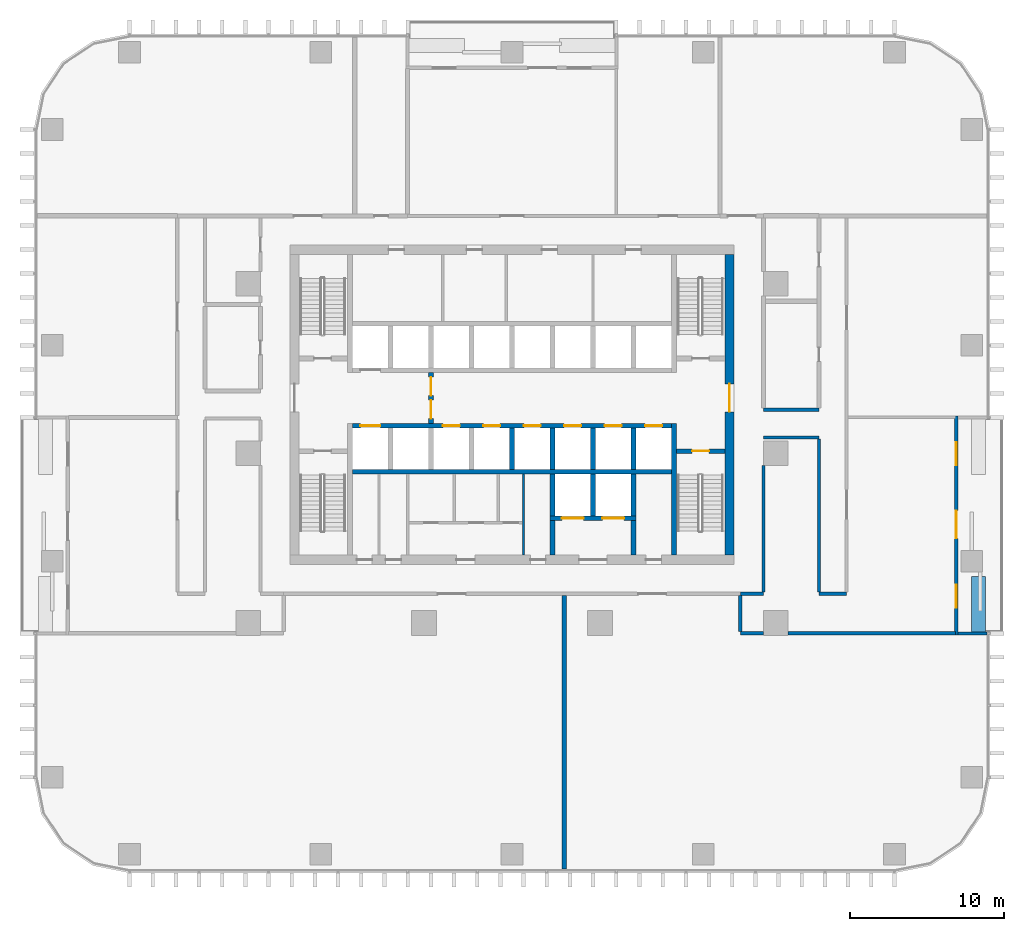
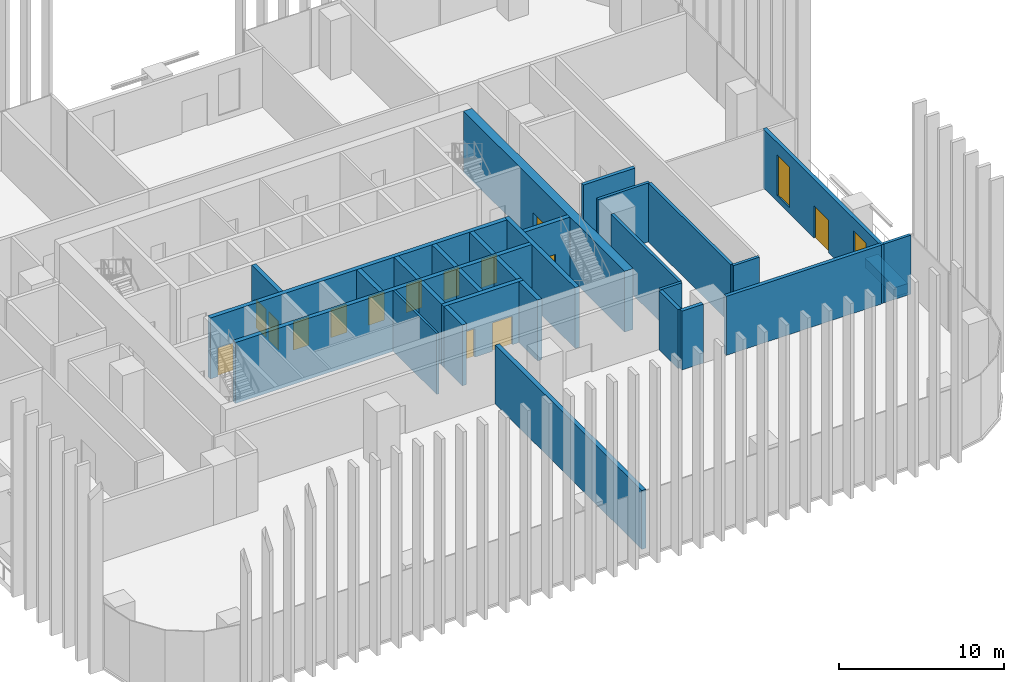
# One storey, part 8 of 17: 30 walls, 14 doors, 2 windows, 16 openings.
"""IFC4 building model written with IfcOpenShell, lengths in metres."""

from ifc_helpers import new_model, si_unit, direction, frame, frame_2d, origin, place, context, subcontext, project, spatial, rectangle, extrude, material, layer, layer_set, type_object, element, fill, save


model = new_model("IFC4")

# Units and contexts
model_context = context("Model", 3, precision=1e-05, world=origin(), true_north=direction((0.0, 1.0)))
body_context = subcontext(model_context, "Body", "Model", "MODEL_VIEW")
ifc_project = project(units=[si_unit("LENGTHUNIT", "METRE"), si_unit("AREAUNIT", "SQUARE_METRE"), si_unit("VOLUMEUNIT", "CUBIC_METRE"), si_unit("PLANEANGLEUNIT", "RADIAN"), si_unit("MASSUNIT", "GRAM", prefix="KILO")], contexts=[model_context])

# Site, building, storey
site_placement = place(None, origin())
site = spatial("IfcSite", under=ifc_project, at=site_placement, CompositionType="ELEMENT")
building_placement = place(site_placement, origin())
building = spatial("IfcBuilding", under=site, at=building_placement, Name="Mopane Tessera Tower", CompositionType="ELEMENT")
storey_placement = place(building_placement, frame((0.0, 0.0, 31.0)))
storey = spatial("IfcBuildingStorey", under=building, at=storey_placement, Name="L05", CompositionType="ELEMENT", Elevation=31.0)

# Wall
ifc_material_1 = material(Name="Fire-rated gypsum board partition")
ifc_layer_1 = layer(ifc_material_1, 0.14990234375)
ifc_layer_set_1 = layer_set([ifc_layer_1], Name="Fire-rated gypsum board partition")
wall_type_1 = type_object("IfcWallType", Name="Core room partition 150 mm", PredefinedType="PARTITIONING", material=ifc_layer_set_1)
wall_1_placement = place(storey_placement, frame((0.75, -6.60009765625, 0.0), z_axis=(0.0, 0.0, 1.0), x_axis=(0.0, 1.0, 0.0)))
element("IfcWall", 1, at=wall_1_placement, inside=storey, type_object=wall_type_1, Name="L05 Room partition", PredefinedType="PARTITIONING", context=body_context, shape_type="SweptSolid", body=[
    extrude(rectangle(XDim=5.25, YDim=0.14990234375, at=frame_2d((2.625, 0.0))), origin(), (0.0, 0.0, 1.0), 4.5),
])

# Wall, opening, door
ifc_material_2 = material(Name="Concrete C70/85", Category="concrete")
ifc_layer_2 = layer(ifc_material_2, 0.60009765625)
ifc_layer_set_2 = layer_set([ifc_layer_2], Name="Concrete C70/85")
wall_type_2 = type_object("IfcWallType", Name="Core shear wall 600 mm", PredefinedType="SHEAR", material=ifc_layer_set_2)
wall_2_placement = place(storey_placement, frame((14.10009765625, -6.60009765625, 0.0), z_axis=(0.0, 0.0, 1.0), x_axis=(0.0, 1.0, 0.0)))
wall_2 = element("IfcWall", 2, at=wall_2_placement, inside=storey, type_object=wall_type_2, Name="L05 Core wall east", PredefinedType="SHEAR", context=body_context, shape_type="SweptSolid", body=[
    extrude(rectangle(XDim=19.5, YDim=0.60009765625, at=frame_2d((9.75, 0.0))), origin(), (0.0, 0.0, 1.0), 4.5),
])
opening_1_placement = place(wall_2_placement, frame((9.300048828125, 0.0, 0.0)))
opening_1 = element("IfcOpeningElement", 3, at=opening_1_placement, cuts=wall_2, Name="Opening SD2", PredefinedType="OPENING", context=body_context, shape_type="SweptSolid", body=[
    extrude(rectangle(XDim=1.800048828125, YDim=2.10009765625, at=frame_2d((0.89990234375, 1.050048828125))), frame((0.0, 0.31201171875, 0.0), z_axis=(0.0, -1.0, 0.0), x_axis=(1.0, 0.0, 0.0)), (0.0, 0.0, 1.0), 0.6240234375),
])
ifc_material_3 = material(Name="Steel fire door", Category="steel")
door_type_1 = type_object("IfcDoorType", Name="Core entrance double door 1800 x 2100", OperationType="DOUBLE_DOOR_SINGLE_SWING", PredefinedType="DOOR", material=ifc_material_3)
door_1_placement = place(opening_1_placement, origin())
door_1 = element("IfcDoor", 4, at=door_1_placement, inside=storey, type_object=door_type_1, Name="L05 Core entrance door east", OperationType="DOUBLE_DOOR_SINGLE_SWING", OverallHeight=2.10009765625, OverallWidth=1.800048828125, PredefinedType="DOOR", context=body_context, shape_type="SweptSolid", body=[
    extrude(rectangle(XDim=1.800048828125, YDim=2.10009765625, at=frame_2d((0.89990234375, 1.050048828125))), frame((0.0, 0.02490234375, 0.0), z_axis=(0.0, -1.0, 0.0), x_axis=(1.0, 0.0, 0.0)), (0.0, 0.0, 1.0), 0.050048828125),
])
fill(opening_1, door_1)

# Walls
ifc_material_4 = material(Name="Concrete C60/75", Category="concrete")
ifc_layer_3 = layer(ifc_material_4, 0.300048828125)
ifc_layer_set_3 = layer_set([ifc_layer_3], Name="Concrete C60/75")
wall_type_3 = type_object("IfcWallType", Name="Core spine wall 300 mm", PredefinedType="SHEAR", material=ifc_layer_set_3)
wall_3_placement = place(storey_placement, frame((10.5, -6.60009765625, 0.0), z_axis=(0.0, 0.0, 1.0), x_axis=(0.0, 1.0, 0.0)))
element("IfcWall", 5, at=wall_3_placement, inside=storey, type_object=wall_type_3, Name="L05 Core spine wall", PredefinedType="SHEAR", context=body_context, shape_type="SweptSolid", body=[
    extrude(rectangle(XDim=8.550048828125, YDim=0.300048828125, at=frame_2d((4.27490234375, 0.0))), origin(), (0.0, 0.0, 1.0), 4.5),
])
ifc_material_5 = material(Name="Gypsum board on steel studs, two layers each face, mineral wool infill", Category="steel")
ifc_layer_4 = layer(ifc_material_5, 0.199951171875)
ifc_layer_set_4 = layer_set([ifc_layer_4], Name="Gypsum board on steel studs, two layers each face, mineral wool infill")
wall_type_4 = type_object("IfcWallType", Name="Gypsum board corridor wall 200, rated EI 60", PredefinedType="PARTITIONING", material=ifc_layer_set_4)
wall_4_placement = place(storey_placement, frame((14.800048828125, -9.10009765625, 0.0), z_axis=(0.0, 0.0, 1.0), x_axis=(1.0, 0.0, 0.0)))
element("IfcWall", 6, at=wall_4_placement, inside=storey, type_object=wall_type_4, Name="Partition L05:006", PredefinedType="PARTITIONING", context=body_context, shape_type="SweptSolid", body=[
    extrude(rectangle(XDim=1.5, YDim=0.199951171875, at=frame_2d((0.75, 0.0))), origin(), (0.0, 0.0, 1.0), 4.35009765625),
])
wall_5_placement = place(storey_placement, frame((19.89990234375, -9.10009765625, 0.0), z_axis=(0.0, 0.0, 1.0), x_axis=(1.0, 0.0, 0.0)))
element("IfcWall", 7, at=wall_5_placement, inside=storey, type_object=wall_type_4, Name="Partition L05:007", PredefinedType="PARTITIONING", context=body_context, shape_type="SweptSolid", body=[
    extrude(rectangle(XDim=1.800048828125, YDim=0.199951171875, at=frame_2d((0.89990234375, 0.0))), origin(), (0.0, 0.0, 1.0), 4.35009765625),
])
wall_6_placement = place(storey_placement, frame((16.300048828125, 1.02490234375, 0.0), z_axis=(0.0, 0.0, 1.0), x_axis=(1.0, 0.0, 0.0)))
element("IfcWall", 8, at=wall_6_placement, inside=storey, type_object=wall_type_4, Name="Partition L05:009", PredefinedType="PARTITIONING", context=body_context, shape_type="SweptSolid", body=[
    extrude(rectangle(XDim=3.599853515625, YDim=0.199951171875, at=frame_2d((1.7998046875, 0.0))), origin(), (0.0, 0.0, 1.0), 4.35009765625),
])
wall_7_placement = place(storey_placement, frame((16.300048828125, -9.0, 0.0), z_axis=(0.0, 0.0, 1.0), x_axis=(0.0, 1.0, 0.0)))
element("IfcWall", 9, at=wall_7_placement, inside=storey, type_object=wall_type_4, Name="Partition L05:040", PredefinedType="PARTITIONING", context=body_context, shape_type="SweptSolid", body=[
    extrude(rectangle(XDim=8.199951171875, YDim=0.199951171875, at=frame_2d((4.10009765625, 0.0))), origin(), (0.0, 0.0, 1.0), 4.35009765625),
])
wall_8_placement = place(storey_placement, frame((19.89990234375, -9.0, 0.0), z_axis=(0.0, 0.0, 1.0), x_axis=(0.0, 1.0, 0.0)))
element("IfcWall", 10, at=wall_8_placement, inside=storey, type_object=wall_type_4, Name="Partition L05:043", PredefinedType="PARTITIONING", context=body_context, shape_type="SweptSolid", body=[
    extrude(rectangle(XDim=9.925048828125, YDim=0.199951171875, at=frame_2d((4.96240234375, 0.0))), origin(), (0.0, 0.0, 1.0), 4.35009765625),
])

# Wall, opening, door
ifc_material_6 = material(Name="Concrete C50/60", Category="concrete")
ifc_layer_5 = layer(ifc_material_6, 0.300048828125)
ifc_layer_set_5 = layer_set([ifc_layer_5], Name="Concrete C50/60")
wall_type_5 = type_object("IfcWallType", Name="Lift and stair shaft wall 300 mm", PredefinedType="SOLIDWALL", material=ifc_layer_set_5)
wall_9_placement = place(storey_placement, frame((10.64990234375, 0.14990234375, 0.0), z_axis=(0.0, 0.0, 1.0), x_axis=(1.0, 0.0, 0.0)))
wall_9 = element("IfcWall", 11, at=wall_9_placement, inside=storey, type_object=wall_type_5, Name="L05 Stair enclosure wall", PredefinedType="SOLIDWALL", context=body_context, shape_type="SweptSolid", body=[
    extrude(rectangle(XDim=3.150146484375, YDim=0.300048828125, at=frame_2d((1.5751953125, 0.0))), origin(), (0.0, 0.0, 1.0), 4.5),
])
opening_2_placement = place(wall_9_placement, frame((1.02490234375, 0.0, 0.0)))
opening_2 = element("IfcOpeningElement", 12, at=opening_2_placement, cuts=wall_9, Name="Opening SD1", PredefinedType="OPENING", context=body_context, shape_type="SweptSolid", body=[
    extrude(rectangle(XDim=1.10009765625, YDim=2.10009765625, at=frame_2d((0.550048828125, 1.050048828125))), frame((0.0, 0.162109375, 0.0), z_axis=(0.0, -1.0, 0.0), x_axis=(1.0, 0.0, 0.0)), (0.0, 0.0, 1.0), 0.323974609375),
])
ifc_material_7 = material(Name="Steel fire door", Category="steel")
door_type_2 = type_object("IfcDoorType", Name="Stair fire door 1100 x 2100", OperationType="SINGLE_SWING_LEFT", PredefinedType="DOOR", material=ifc_material_7)
door_2_placement = place(opening_2_placement, origin())
door_2 = element("IfcDoor", 13, at=door_2_placement, inside=storey, type_object=door_type_2, Name="L05 Stair door ST3", OperationType="SINGLE_SWING_RIGHT", OverallHeight=2.10009765625, OverallWidth=1.10009765625, PredefinedType="DOOR", context=body_context, shape_type="SweptSolid", body=[
    extrude(rectangle(XDim=1.10009765625, YDim=2.10009765625, at=frame_2d((0.550048828125, 1.050048828125))), frame((0.0, 0.02490234375, 0.0), z_axis=(0.0, -1.0, 0.0), x_axis=(1.0, 0.0, 0.0)), (0.0, 0.0, 1.0), 0.050048828125),
])
fill(opening_2, door_2)

# Wall
wall_10_placement = place(storey_placement, frame((-10.35009765625, -1.199951171875, 0.0), z_axis=(0.0, 0.0, 1.0), x_axis=(1.0, 0.0, 0.0)))
element("IfcWall", 14, at=wall_10_placement, inside=storey, type_object=wall_type_5, Name="L05 Lift shaft rear wall", PredefinedType="SOLIDWALL", context=body_context, shape_type="SweptSolid", body=[
    extrude(rectangle(XDim=20.7001953125, YDim=0.300048828125, at=frame_2d((10.35009765625, 0.0))), origin(), (0.0, 0.0, 1.0), 4.5),
])

# Wall, openings, doors
wall_11_placement = place(storey_placement, frame((-10.35009765625, 1.800048828125, 0.0), z_axis=(0.0, 0.0, 1.0), x_axis=(1.0, 0.0, 0.0)))
wall_11 = element("IfcWall", 15, at=wall_11_placement, inside=storey, type_object=wall_type_5, Name="L05 Lift shaft front wall", PredefinedType="SOLIDWALL", context=body_context, shape_type="SweptSolid", body=[
    extrude(rectangle(XDim=20.7001953125, YDim=0.300048828125, at=frame_2d((10.35009765625, 0.0))), origin(), (0.0, 0.0, 1.0), 4.5),
])
opening_3_placement = place(wall_11_placement, frame((0.512451171875, 0.0, 0.0)))
opening_3 = element("IfcOpeningElement", 16, at=opening_3_placement, cuts=wall_11, Name="Opening LD2", PredefinedType="OPENING", context=body_context, shape_type="SweptSolid", body=[
    extrude(rectangle(XDim=1.300048828125, YDim=2.10009765625, at=frame_2d((0.64990234375, 1.050048828125))), frame((0.0, 0.162109375, 0.0), z_axis=(0.0, -1.0, 0.0), x_axis=(1.0, 0.0, 0.0)), (0.0, 0.0, 1.0), 0.323974609375),
])
opening_4_placement = place(wall_11_placement, frame((5.862548828125, 0.0, 0.0)))
opening_4 = element("IfcOpeningElement", 17, at=opening_4_placement, cuts=wall_11, Name="Opening LD", PredefinedType="OPENING", context=body_context, shape_type="SweptSolid", body=[
    extrude(rectangle(XDim=1.10009765625, YDim=2.10009765625, at=frame_2d((0.550048828125, 1.050048828125))), frame((0.0, 0.162109375, 0.0), z_axis=(0.0, -1.0, 0.0), x_axis=(1.0, 0.0, 0.0)), (0.0, 0.0, 1.0), 0.323974609375),
])
opening_5_placement = place(wall_11_placement, frame((8.487548828125, 0.0, 0.0)))
opening_5 = element("IfcOpeningElement", 18, at=opening_5_placement, cuts=wall_11, Name="Opening LD", PredefinedType="OPENING", context=body_context, shape_type="SweptSolid", body=[
    extrude(rectangle(XDim=1.10009765625, YDim=2.10009765625, at=frame_2d((0.550048828125, 1.050048828125))), frame((0.0, 0.162109375, 0.0), z_axis=(0.0, -1.0, 0.0), x_axis=(1.0, 0.0, 0.0)), (0.0, 0.0, 1.0), 0.323974609375),
])
opening_6_placement = place(wall_11_placement, frame((11.112548828125, 0.0, 0.0)))
opening_6 = element("IfcOpeningElement", 19, at=opening_6_placement, cuts=wall_11, Name="Opening LD", PredefinedType="OPENING", context=body_context, shape_type="SweptSolid", body=[
    extrude(rectangle(XDim=1.10009765625, YDim=2.10009765625, at=frame_2d((0.550048828125, 1.050048828125))), frame((0.0, 0.162109375, 0.0), z_axis=(0.0, -1.0, 0.0), x_axis=(1.0, 0.0, 0.0)), (0.0, 0.0, 1.0), 0.323974609375),
])
opening_7_placement = place(wall_11_placement, frame((13.737548828125, 0.0, 0.0)))
opening_7 = element("IfcOpeningElement", 20, at=opening_7_placement, cuts=wall_11, Name="Opening LD", PredefinedType="OPENING", context=body_context, shape_type="SweptSolid", body=[
    extrude(rectangle(XDim=1.10009765625, YDim=2.10009765625, at=frame_2d((0.550048828125, 1.050048828125))), frame((0.0, 0.162109375, 0.0), z_axis=(0.0, -1.0, 0.0), x_axis=(1.0, 0.0, 0.0)), (0.0, 0.0, 1.0), 0.323974609375),
])
opening_8_placement = place(wall_11_placement, frame((16.362548828125, 0.0, 0.0)))
opening_8 = element("IfcOpeningElement", 21, at=opening_8_placement, cuts=wall_11, Name="Opening LD", PredefinedType="OPENING", context=body_context, shape_type="SweptSolid", body=[
    extrude(rectangle(XDim=1.10009765625, YDim=2.10009765625, at=frame_2d((0.550048828125, 1.050048828125))), frame((0.0, 0.162109375, 0.0), z_axis=(0.0, -1.0, 0.0), x_axis=(1.0, 0.0, 0.0)), (0.0, 0.0, 1.0), 0.323974609375),
])
opening_9_placement = place(wall_11_placement, frame((18.987548828125, 0.0, 0.0)))
opening_9 = element("IfcOpeningElement", 22, at=opening_9_placement, cuts=wall_11, Name="Opening LD", PredefinedType="OPENING", context=body_context, shape_type="SweptSolid", body=[
    extrude(rectangle(XDim=1.10009765625, YDim=2.10009765625, at=frame_2d((0.550048828125, 1.050048828125))), frame((0.0, 0.162109375, 0.0), z_axis=(0.0, -1.0, 0.0), x_axis=(1.0, 0.0, 0.0)), (0.0, 0.0, 1.0), 0.323974609375),
])
ifc_material_8 = material(Name="Stainless steel sliding door", Category="steel")
door_type_3 = type_object("IfcDoorType", Name="Fire-fighting lift landing door 1300 x 2100", OperationType="DOUBLE_DOOR_SLIDING", PredefinedType="DOOR", material=ifc_material_8)
door_3_placement = place(opening_3_placement, origin())
door_3 = element("IfcDoor", 23, at=door_3_placement, inside=storey, type_object=door_type_3, Name="L05 Lift landing door FF1", OperationType="DOUBLE_DOOR_SLIDING", OverallHeight=2.10009765625, OverallWidth=1.300048828125, PredefinedType="DOOR", context=body_context, shape_type="SweptSolid", body=[
    extrude(rectangle(XDim=1.300048828125, YDim=2.10009765625, at=frame_2d((0.64990234375, 1.050048828125))), frame((0.0, 0.02490234375, 0.0), z_axis=(0.0, -1.0, 0.0), x_axis=(1.0, 0.0, 0.0)), (0.0, 0.0, 1.0), 0.050048828125),
])
fill(opening_3, door_3)
ifc_material_9 = material(Name="Stainless steel sliding door", Category="steel")
door_type_4 = type_object("IfcDoorType", Name="Lift landing door 1100 x 2100", OperationType="DOUBLE_DOOR_SLIDING", PredefinedType="DOOR", material=ifc_material_9)
door_4_placement = place(opening_4_placement, origin())
door_4 = element("IfcDoor", 24, at=door_4_placement, inside=storey, type_object=door_type_4, Name="L05 Lift landing door LR1", OperationType="DOUBLE_DOOR_SLIDING", OverallHeight=2.10009765625, OverallWidth=1.10009765625, PredefinedType="DOOR", context=body_context, shape_type="SweptSolid", body=[
    extrude(rectangle(XDim=1.10009765625, YDim=2.10009765625, at=frame_2d((0.550048828125, 1.050048828125))), frame((0.0, 0.02490234375, 0.0), z_axis=(0.0, -1.0, 0.0), x_axis=(1.0, 0.0, 0.0)), (0.0, 0.0, 1.0), 0.050048828125),
])
fill(opening_4, door_4)
door_5_placement = place(opening_5_placement, origin())
door_5 = element("IfcDoor", 25, at=door_5_placement, inside=storey, type_object=door_type_4, Name="L05 Lift landing door LR2", OperationType="DOUBLE_DOOR_SLIDING", OverallHeight=2.10009765625, OverallWidth=1.10009765625, PredefinedType="DOOR", context=body_context, shape_type="SweptSolid", body=[
    extrude(rectangle(XDim=1.10009765625, YDim=2.10009765625, at=frame_2d((0.550048828125, 1.050048828125))), frame((0.0, 0.02490234375, 0.0), z_axis=(0.0, -1.0, 0.0), x_axis=(1.0, 0.0, 0.0)), (0.0, 0.0, 1.0), 0.050048828125),
])
fill(opening_5, door_5)
door_6_placement = place(opening_6_placement, origin())
door_6 = element("IfcDoor", 26, at=door_6_placement, inside=storey, type_object=door_type_4, Name="L05 Lift landing door LR3", OperationType="DOUBLE_DOOR_SLIDING", OverallHeight=2.10009765625, OverallWidth=1.10009765625, PredefinedType="DOOR", context=body_context, shape_type="SweptSolid", body=[
    extrude(rectangle(XDim=1.10009765625, YDim=2.10009765625, at=frame_2d((0.550048828125, 1.050048828125))), frame((0.0, 0.02490234375, 0.0), z_axis=(0.0, -1.0, 0.0), x_axis=(1.0, 0.0, 0.0)), (0.0, 0.0, 1.0), 0.050048828125),
])
fill(opening_6, door_6)
door_7_placement = place(opening_7_placement, origin())
door_7 = element("IfcDoor", 27, at=door_7_placement, inside=storey, type_object=door_type_4, Name="L05 Lift landing door LR4", OperationType="DOUBLE_DOOR_SLIDING", OverallHeight=2.10009765625, OverallWidth=1.10009765625, PredefinedType="DOOR", context=body_context, shape_type="SweptSolid", body=[
    extrude(rectangle(XDim=1.10009765625, YDim=2.10009765625, at=frame_2d((0.550048828125, 1.050048828125))), frame((0.0, 0.02490234375, 0.0), z_axis=(0.0, -1.0, 0.0), x_axis=(1.0, 0.0, 0.0)), (0.0, 0.0, 1.0), 0.050048828125),
])
fill(opening_7, door_7)
door_8_placement = place(opening_8_placement, origin())
door_8 = element("IfcDoor", 28, at=door_8_placement, inside=storey, type_object=door_type_4, Name="L05 Lift landing door LR5", OperationType="DOUBLE_DOOR_SLIDING", OverallHeight=2.10009765625, OverallWidth=1.10009765625, PredefinedType="DOOR", context=body_context, shape_type="SweptSolid", body=[
    extrude(rectangle(XDim=1.10009765625, YDim=2.10009765625, at=frame_2d((0.550048828125, 1.050048828125))), frame((0.0, 0.02490234375, 0.0), z_axis=(0.0, -1.0, 0.0), x_axis=(1.0, 0.0, 0.0)), (0.0, 0.0, 1.0), 0.050048828125),
])
fill(opening_8, door_8)
door_9_placement = place(opening_9_placement, origin())
door_9 = element("IfcDoor", 29, at=door_9_placement, inside=storey, type_object=door_type_4, Name="L05 Lift landing door LR6", OperationType="DOUBLE_DOOR_SLIDING", OverallHeight=2.10009765625, OverallWidth=1.10009765625, PredefinedType="DOOR", context=body_context, shape_type="SweptSolid", body=[
    extrude(rectangle(XDim=1.10009765625, YDim=2.10009765625, at=frame_2d((0.550048828125, 1.050048828125))), frame((0.0, 0.02490234375, 0.0), z_axis=(0.0, -1.0, 0.0), x_axis=(1.0, 0.0, 0.0)), (0.0, 0.0, 1.0), 0.050048828125),
])
fill(opening_9, door_9)

# Walls
for number, where, z_axis, x_axis, name in (
    (30, (0.0, -1.050048828125, 0.0), (0.0, 0.0, 1.0), (0.0, 1.0, 0.0), "L05 Lift shaft wall"),
    (31, (2.625, -1.050048828125, 0.0), (0.0, 0.0, 1.0), (0.0, 1.0, 0.0), "L05 Lift shaft wall"),
    (32, (5.25, -1.050048828125, 0.0), (0.0, 0.0, 1.0), (0.0, 1.0, 0.0), "L05 Lift shaft wall"),
    (33, (7.875, -1.050048828125, 0.0), (0.0, 0.0, 1.0), (0.0, 1.0, 0.0), "L05 Lift shaft wall"),
):
    element("IfcWall", number, at=place(storey_placement, frame(where, z_axis=z_axis, x_axis=x_axis)), inside=storey, type_object=wall_type_5, Name=name, PredefinedType="SOLIDWALL", context=body_context, shape_type="SweptSolid", body=[
        extrude(rectangle(XDim=2.699951171875, YDim=0.300048828125, at=frame_2d((1.35009765625, 0.0))), origin(), (0.0, 0.0, 1.0), 4.5),
    ])

# Wall, openings, doors
wall_12_placement = place(storey_placement, frame((2.47509765625, -4.199951171875, 0.0), z_axis=(0.0, 0.0, 1.0), x_axis=(1.0, 0.0, 0.0)))
wall_12 = element("IfcWall", 34, at=wall_12_placement, inside=storey, type_object=wall_type_5, Name="L05 Lift shaft front wall", PredefinedType="SOLIDWALL", context=body_context, shape_type="SweptSolid", body=[
    extrude(rectangle(XDim=5.5498046875, YDim=0.300048828125, at=frame_2d((2.77490234375, 0.0))), origin(), (0.0, 0.0, 1.0), 4.5),
])
opening_10_placement = place(wall_12_placement, frame((0.762451171875, 0.0, 0.0)))
opening_10 = element("IfcOpeningElement", 35, at=opening_10_placement, cuts=wall_12, Name="Opening LD3", PredefinedType="OPENING", context=body_context, shape_type="SweptSolid", body=[
    extrude(rectangle(XDim=1.39990234375, YDim=2.10009765625, at=frame_2d((0.699951171875, 1.050048828125))), frame((0.0, 0.162109375, 0.0), z_axis=(0.0, -1.0, 0.0), x_axis=(1.0, 0.0, 0.0)), (0.0, 0.0, 1.0), 0.323974609375),
])
opening_11_placement = place(wall_12_placement, frame((3.387451171875, 0.0, 0.0)))
opening_11 = element("IfcOpeningElement", 36, at=opening_11_placement, cuts=wall_12, Name="Opening LD3", PredefinedType="OPENING", context=body_context, shape_type="SweptSolid", body=[
    extrude(rectangle(XDim=1.39990234375, YDim=2.10009765625, at=frame_2d((0.699951171875, 1.050048828125))), frame((0.0, 0.162109375, 0.0), z_axis=(0.0, -1.0, 0.0), x_axis=(1.0, 0.0, 0.0)), (0.0, 0.0, 1.0), 0.323974609375),
])
ifc_material_10 = material(Name="Stainless steel sliding door", Category="steel")
door_type_5 = type_object("IfcDoorType", Name="Service lift landing door 1400 x 2100", OperationType="DOUBLE_DOOR_SLIDING", PredefinedType="DOOR", material=ifc_material_10)
door_10_placement = place(opening_10_placement, origin())
door_10 = element("IfcDoor", 37, at=door_10_placement, inside=storey, type_object=door_type_5, Name="L05 Lift landing door SV1", OperationType="DOUBLE_DOOR_SLIDING", OverallHeight=2.10009765625, OverallWidth=1.39990234375, PredefinedType="DOOR", context=body_context, shape_type="SweptSolid", body=[
    extrude(rectangle(XDim=1.39990234375, YDim=2.10009765625, at=frame_2d((0.699951171875, 1.050048828125))), frame((0.0, 0.02490234375, 0.0), z_axis=(0.0, -1.0, 0.0), x_axis=(1.0, 0.0, 0.0)), (0.0, 0.0, 1.0), 0.050048828125),
])
fill(opening_10, door_10)
door_11_placement = place(opening_11_placement, origin())
door_11 = element("IfcDoor", 38, at=door_11_placement, inside=storey, type_object=door_type_5, Name="L05 Lift landing door SV2", OperationType="DOUBLE_DOOR_SLIDING", OverallHeight=2.10009765625, OverallWidth=1.39990234375, PredefinedType="DOOR", context=body_context, shape_type="SweptSolid", body=[
    extrude(rectangle(XDim=1.39990234375, YDim=2.10009765625, at=frame_2d((0.699951171875, 1.050048828125))), frame((0.0, 0.02490234375, 0.0), z_axis=(0.0, -1.0, 0.0), x_axis=(1.0, 0.0, 0.0)), (0.0, 0.0, 1.0), 0.050048828125),
])
fill(opening_11, door_11)

# Walls
for number, where, z_axis, x_axis, name in (
    (39, (2.625, -4.050048828125, 0.0), (0.0, 0.0, 1.0), (0.0, 1.0, 0.0), "L05 Lift shaft wall"),
    (40, (5.25, -4.050048828125, 0.0), (0.0, 0.0, 1.0), (0.0, 1.0, 0.0), "L05 Lift shaft wall"),
    (41, (7.875, -4.050048828125, 0.0), (0.0, 0.0, 1.0), (0.0, 1.0, 0.0), "L05 Lift shaft wall"),
):
    element("IfcWall", number, at=place(storey_placement, frame(where, z_axis=z_axis, x_axis=x_axis)), inside=storey, type_object=wall_type_5, Name=name, PredefinedType="SOLIDWALL", context=body_context, shape_type="SweptSolid", body=[
        extrude(rectangle(XDim=2.699951171875, YDim=0.300048828125, at=frame_2d((1.35009765625, 0.0))), origin(), (0.0, 0.0, 1.0), 4.5),
    ])

# Wall, openings, doors
ifc_material_11 = material(Name="Concrete C50/60", Category="concrete")
ifc_layer_6 = layer(ifc_material_11, 0.300048828125)
ifc_layer_set_6 = layer_set([ifc_layer_6], Name="Concrete C50/60")
wall_type_6 = type_object("IfcWallType", Name="Lobby and refuge room wall 300 mm", PredefinedType="SOLIDWALL", material=ifc_layer_set_6)
wall_13_placement = place(storey_placement, frame((-5.25, 1.949951171875, 0.0), z_axis=(0.0, 0.0, 1.0), x_axis=(0.0, 1.0, 0.0)))
wall_13 = element("IfcWall", 42, at=wall_13_placement, inside=storey, type_object=wall_type_6, Name="L05 Fire-fighting lobby wall", PredefinedType="SOLIDWALL", context=body_context, shape_type="SweptSolid", body=[
    extrude(rectangle(XDim=3.300048828125, YDim=0.300048828125, at=frame_2d((1.64990234375, 0.0))), origin(), (0.0, 0.0, 1.0), 4.5),
])
opening_12_placement = place(wall_13_placement, frame((0.300048828125, 0.0, 0.0)))
opening_12 = element("IfcOpeningElement", 43, at=opening_12_placement, cuts=wall_13, Name="Opening SD3", PredefinedType="OPENING", context=body_context, shape_type="SweptSolid", body=[
    extrude(rectangle(XDim=1.199951171875, YDim=2.10009765625, at=frame_2d((0.60009765625, 1.050048828125))), frame((0.0, 0.162109375, 0.0), z_axis=(0.0, -1.0, 0.0), x_axis=(1.0, 0.0, 0.0)), (0.0, 0.0, 1.0), 0.323974609375),
])
opening_13_placement = place(wall_13_placement, frame((1.800048828125, 0.0, 0.0)))
opening_13 = element("IfcOpeningElement", 44, at=opening_13_placement, cuts=wall_13, Name="Opening SD3", PredefinedType="OPENING", context=body_context, shape_type="SweptSolid", body=[
    extrude(rectangle(XDim=1.199951171875, YDim=2.10009765625, at=frame_2d((0.60009765625, 1.050048828125))), frame((0.0, 0.162109375, 0.0), z_axis=(0.0, -1.0, 0.0), x_axis=(1.0, 0.0, 0.0)), (0.0, 0.0, 1.0), 0.323974609375),
])
ifc_material_12 = material(Name="Steel fire door", Category="steel")
door_type_6 = type_object("IfcDoorType", Name="Lobby fire door 1200 x 2100", OperationType="SINGLE_SWING_LEFT", PredefinedType="DOOR", material=ifc_material_12)
door_12_placement = place(opening_12_placement, origin())
door_12 = element("IfcDoor", 45, at=door_12_placement, inside=storey, type_object=door_type_6, Name="L05 Fire-fighting lobby door", OperationType="SINGLE_SWING_LEFT", OverallHeight=2.10009765625, OverallWidth=1.199951171875, PredefinedType="DOOR", context=body_context, shape_type="SweptSolid", body=[
    extrude(rectangle(XDim=1.199951171875, YDim=2.10009765625, at=frame_2d((0.60009765625, 1.050048828125))), frame((0.0, 0.02490234375, 0.0), z_axis=(0.0, -1.0, 0.0), x_axis=(1.0, 0.0, 0.0)), (0.0, 0.0, 1.0), 0.050048828125),
])
fill(opening_12, door_12)
door_13_placement = place(opening_13_placement, origin())
door_13 = element("IfcDoor", 46, at=door_13_placement, inside=storey, type_object=door_type_6, Name="L05 Fire-fighting lobby door", OperationType="SINGLE_SWING_RIGHT", OverallHeight=2.10009765625, OverallWidth=1.199951171875, PredefinedType="DOOR", context=body_context, shape_type="SweptSolid", body=[
    extrude(rectangle(XDim=1.199951171875, YDim=2.10009765625, at=frame_2d((0.60009765625, 1.050048828125))), frame((0.0, 0.02490234375, 0.0), z_axis=(0.0, -1.0, 0.0), x_axis=(1.0, 0.0, 0.0)), (0.0, 0.0, 1.0), 0.050048828125),
])
fill(opening_13, door_13)

# Walls
for number, where, z_axis, x_axis, name in (
    (47, (2.625, -6.60009765625, 0.0), (0.0, 0.0, 1.0), (0.0, 1.0, 0.0), "L05 Service lobby wall"),
    (48, (7.875, -6.60009765625, 0.0), (0.0, 0.0, 1.0), (0.0, 1.0, 0.0), "L05 Service lobby wall"),
):
    element("IfcWall", number, at=place(storey_placement, frame(where, z_axis=z_axis, x_axis=x_axis)), inside=storey, type_object=wall_type_6, Name=name, PredefinedType="SOLIDWALL", context=body_context, shape_type="SweptSolid", body=[
        extrude(rectangle(XDim=2.25, YDim=0.300048828125, at=frame_2d((1.125, 0.0))), origin(), (0.0, 0.0, 1.0), 4.5),
    ])
ifc_material_13 = material(Name="Reinforced concrete C32/40 with waterproofing", Category="concrete")
ifc_layer_7 = layer(ifc_material_13, 0.89990234375)
ifc_layer_set_7 = layer_set([ifc_layer_7], Name="Reinforced concrete C32/40 with waterproofing")
wall_type_7 = type_object("IfcWallType", Name="Planter trough 3600 x 900", PredefinedType="STANDARD", material=ifc_layer_set_7)
wall_14_placement = place(storey_placement, frame((30.25, -11.566650390625, 0.0), z_axis=(0.0, 0.0, 1.0), x_axis=(0.0, 1.0, 0.0)))
element("IfcWall", 49, at=wall_14_placement, inside=storey, type_object=wall_type_7, Name="e:nw:L05:N1:pl0", PredefinedType="STANDARD", context=body_context, shape_type="SweptSolid", body=[
    extrude(rectangle(XDim=3.60009765625, YDim=0.89990234375, at=frame_2d((1.800048828125, 0.0))), origin(), (0.0, 0.0, 1.0), 0.699951171875),
])
ifc_material_14 = material(Name="Plastered concrete blockwork C20/25", Category="masonry")
ifc_layer_8 = layer(ifc_material_14, 0.300048828125)
ifc_layer_set_8 = layer_set([ifc_layer_8], Name="Plastered concrete blockwork C20/25")
wall_type_8 = type_object("IfcWallType", Name="Plastered blockwork separation wall 300, rated EI 120", PredefinedType="PARTITIONING", material=ifc_layer_set_8)
wall_15_placement = place(storey_placement, frame((3.39501953125, -26.949951171875, 0.0), z_axis=(0.0, 0.0, 1.0), x_axis=(0.0, 1.0, 0.0)))
element("IfcWall", 50, at=wall_15_placement, inside=storey, type_object=wall_type_8, Name="Partition L05:036", PredefinedType="PARTITIONING", context=body_context, shape_type="SweptSolid", body=[
    extrude(rectangle(XDim=17.724853515625, YDim=0.300048828125, at=frame_2d((8.8623046875, 0.0))), origin(), (0.0, 0.0, 1.0), 4.35009765625),
])
ifc_material_15 = material(Name="Plastered concrete blockwork C20/25", Category="masonry")
ifc_layer_9 = layer(ifc_material_15, 0.25)
ifc_layer_set_9 = layer_set([ifc_layer_9], Name="Plastered concrete blockwork C20/25")
wall_type_9 = type_object("IfcWallType", Name="Plastered blockwork wall 250, rated EI 120", PredefinedType="PARTITIONING", material=ifc_layer_set_9)
wall_16_placement = place(storey_placement, frame((14.800048828125, -11.6650390625, 0.0), z_axis=(0.0, 0.0, 1.0), x_axis=(1.0, 0.0, 0.0)))
element("IfcWall", 51, at=wall_16_placement, inside=storey, type_object=wall_type_9, Name="Partition L05:002", PredefinedType="PARTITIONING", context=body_context, shape_type="SweptSolid", body=[
    extrude(rectangle(XDim=1.5, YDim=0.25, at=frame_2d((0.75, 0.0))), origin(), (0.0, 0.0, 1.0), 4.35009765625),
])
wall_17_placement = place(storey_placement, frame((17.89990234375, -11.6650390625, 0.0), z_axis=(0.0, 0.0, 1.0), x_axis=(1.0, 0.0, 0.0)))
element("IfcWall", 52, at=wall_17_placement, inside=storey, type_object=wall_type_9, Name="Partition L05:003", PredefinedType="PARTITIONING", context=body_context, shape_type="SweptSolid", body=[
    extrude(rectangle(XDim=10.85009765625, YDim=0.25, at=frame_2d((5.425048828125, 0.0))), origin(), (0.0, 0.0, 1.0), 4.35009765625),
])
wall_18_placement = place(storey_placement, frame((16.300048828125, 2.824951171875, 0.0), z_axis=(0.0, 0.0, 1.0), x_axis=(1.0, 0.0, 0.0)))
element("IfcWall", 53, at=wall_18_placement, inside=storey, type_object=wall_type_9, Name="Partition L05:013", PredefinedType="PARTITIONING", context=body_context, shape_type="SweptSolid", body=[
    extrude(rectangle(XDim=3.599853515625, YDim=0.25, at=frame_2d((1.7998046875, 0.0))), origin(), (0.0, 0.0, 1.0), 4.35009765625),
])
wall_19_placement = place(storey_placement, frame((14.800048828125, -11.5400390625, 0.0), z_axis=(0.0, 0.0, 1.0), x_axis=(0.0, 1.0, 0.0)))
element("IfcWall", 54, at=wall_19_placement, inside=storey, type_object=wall_type_9, Name="Partition L05:039", PredefinedType="PARTITIONING", context=body_context, shape_type="SweptSolid", body=[
    extrude(rectangle(XDim=2.31494140625, YDim=0.25, at=frame_2d((1.157470703125, 0.0))), origin(), (0.0, 0.0, 1.0), 4.35009765625),
])
ifc_material_16 = material(Name="Blockwork with glazed tile facing", Category="masonry")
ifc_layer_10 = layer(ifc_material_16, 0.199951171875)
ifc_layer_set_10 = layer_set([ifc_layer_10], Name="Blockwork with glazed tile facing")
wall_type_10 = type_object("IfcWallType", Name="Terrace cheek wall 200", PredefinedType="STANDARD", material=ifc_layer_set_10)
wall_20_placement = place(storey_placement, frame((30.800048828125, -11.666748046875, 0.0), z_axis=(0.0, 0.0, 1.0), x_axis=(-1.0, 0.0, 0.0)))
element("IfcWall", 55, at=wall_20_placement, inside=storey, type_object=wall_type_10, Name="e:nw:L05:N1:cheeka", PredefinedType="STANDARD", context=body_context, shape_type="SweptSolid", body=[
    extrude(rectangle(XDim=1.875, YDim=0.199951171875, at=frame_2d((0.9375, 0.0))), origin(), (0.0, 0.0, 1.0), 4.35009765625),
])

# Wall, openings, windows, door
ifc_material_17 = material(Name="Blockwork with ultramarine glazed tile facing", Category="masonry")
ifc_layer_11 = layer(ifc_material_17, 0.25)
ifc_layer_set_11 = layer_set([ifc_layer_11], Name="Blockwork with ultramarine glazed tile facing")
wall_type_11 = type_object("IfcWallType", Name="Tile-clad external wall 250, ultramarine", PredefinedType="STANDARD", material=ifc_layer_set_11)
wall_21_placement = place(storey_placement, frame((28.800048828125, -11.7666015625, 0.0), z_axis=(0.0, 0.0, 1.0), x_axis=(0.0, 1.0, 0.0)))
wall_21 = element("IfcWall", 56, at=wall_21_placement, inside=storey, type_object=wall_type_11, Name="e:nw:L05:N1:back", PredefinedType="STANDARD", context=body_context, shape_type="SweptSolid", body=[
    extrude(rectangle(XDim=14.199951171875, YDim=0.25, at=frame_2d((7.10009765625, 0.0))), origin(), (0.0, 0.0, 1.0), 4.35009765625),
])
opening_14_placement = place(wall_21_placement, frame((1.75, 0.0, 0.449951171875)))
opening_14 = element("IfcOpeningElement", 57, at=opening_14_placement, cuts=wall_21, Name="Opening NW051A", PredefinedType="OPENING", context=body_context, shape_type="SweptSolid", body=[
    extrude(rectangle(XDim=1.5, YDim=3.0, at=frame_2d((0.75, 1.5))), frame((0.0, 0.136962890625, 0.0), z_axis=(0.0, -1.0, 0.0), x_axis=(1.0, 0.0, 0.0)), (0.0, 0.0, 1.0), 0.27392578125),
])
opening_15_placement = place(wall_21_placement, frame((6.25, 0.0, 0.0)))
opening_15 = element("IfcOpeningElement", 58, at=opening_15_placement, cuts=wall_21, Name="Opening ND051", PredefinedType="OPENING", context=body_context, shape_type="SweptSolid", body=[
    extrude(rectangle(XDim=1.800048828125, YDim=2.39990234375, at=frame_2d((0.89990234375, 1.199951171875))), frame((0.0, 0.136962890625, 0.0), z_axis=(0.0, -1.0, 0.0), x_axis=(1.0, 0.0, 0.0)), (0.0, 0.0, 1.0), 0.27392578125),
])
opening_16_placement = place(wall_21_placement, frame((11.0, 0.0, 0.449951171875)))
opening_16 = element("IfcOpeningElement", 59, at=opening_16_placement, cuts=wall_21, Name="Opening NW051B", PredefinedType="OPENING", context=body_context, shape_type="SweptSolid", body=[
    extrude(rectangle(XDim=1.5, YDim=3.0, at=frame_2d((0.75, 1.5))), frame((0.0, 0.136962890625, 0.0), z_axis=(0.0, -1.0, 0.0), x_axis=(1.0, 0.0, 0.0)), (0.0, 0.0, 1.0), 0.27392578125),
])
ifc_material_18 = material(Name="Clear laminated glass", Category="glass")
window_type = type_object("IfcWindowType", Name="Fixed window 1500 x 3000", PartitioningType="SINGLE_PANEL", PredefinedType="WINDOW", material=ifc_material_18)
window_1_placement = place(opening_14_placement, origin())
window_1 = element("IfcWindow", 60, at=window_1_placement, inside=storey, type_object=window_type, Name="e:nw:L05:N1:win0", OverallHeight=3.0, OverallWidth=1.5, PartitioningType="SINGLE_PANEL", PredefinedType="WINDOW", context=body_context, shape_type="SweptSolid", body=[
    extrude(rectangle(XDim=1.5, YDim=3.0, at=frame_2d((0.75, 1.5))), frame((0.0, 0.030029296875, 0.0), z_axis=(0.0, -1.0, 0.0), x_axis=(1.0, 0.0, 0.0)), (0.0, 0.0, 1.0), 0.06005859375),
])
fill(opening_14, window_1)
window_2_placement = place(opening_16_placement, origin())
window_2 = element("IfcWindow", 61, at=window_2_placement, inside=storey, type_object=window_type, Name="e:nw:L05:N1:win2", OverallHeight=3.0, OverallWidth=1.5, PartitioningType="SINGLE_PANEL", PredefinedType="WINDOW", context=body_context, shape_type="SweptSolid", body=[
    extrude(rectangle(XDim=1.5, YDim=3.0, at=frame_2d((0.75, 1.5))), frame((0.0, 0.030029296875, 0.0), z_axis=(0.0, -1.0, 0.0), x_axis=(1.0, 0.0, 0.0)), (0.0, 0.0, 1.0), 0.06005859375),
])
fill(opening_16, window_2)
ifc_material_19 = material(Name="Aluminium and clear glass", Category="aluminium")
door_type_7 = type_object("IfcDoorType", Name="Terrace double door 1800 x 2400", OperationType="DOUBLE_DOOR_SINGLE_SWING", PredefinedType="DOOR", material=ifc_material_19)
door_14_placement = place(opening_15_placement, origin())
door_14 = element("IfcDoor", 62, at=door_14_placement, inside=storey, type_object=door_type_7, Name="e:nw:L05:N1:door", ObjectType="D1", OperationType="DOUBLE_DOOR_SINGLE_SWING", OverallHeight=2.39990234375, OverallWidth=1.800048828125, PredefinedType="DOOR", context=body_context, shape_type="SweptSolid", body=[
    extrude(rectangle(XDim=1.800048828125, YDim=2.39990234375, at=frame_2d((0.89990234375, 1.199951171875))), frame((0.0, 0.02490234375, 0.0), z_axis=(0.0, -1.0, 0.0), x_axis=(1.0, 0.0, 0.0)), (0.0, 0.0, 1.0), 0.050048828125),
])
fill(opening_15, door_14)

save(model, "model.ifc")
